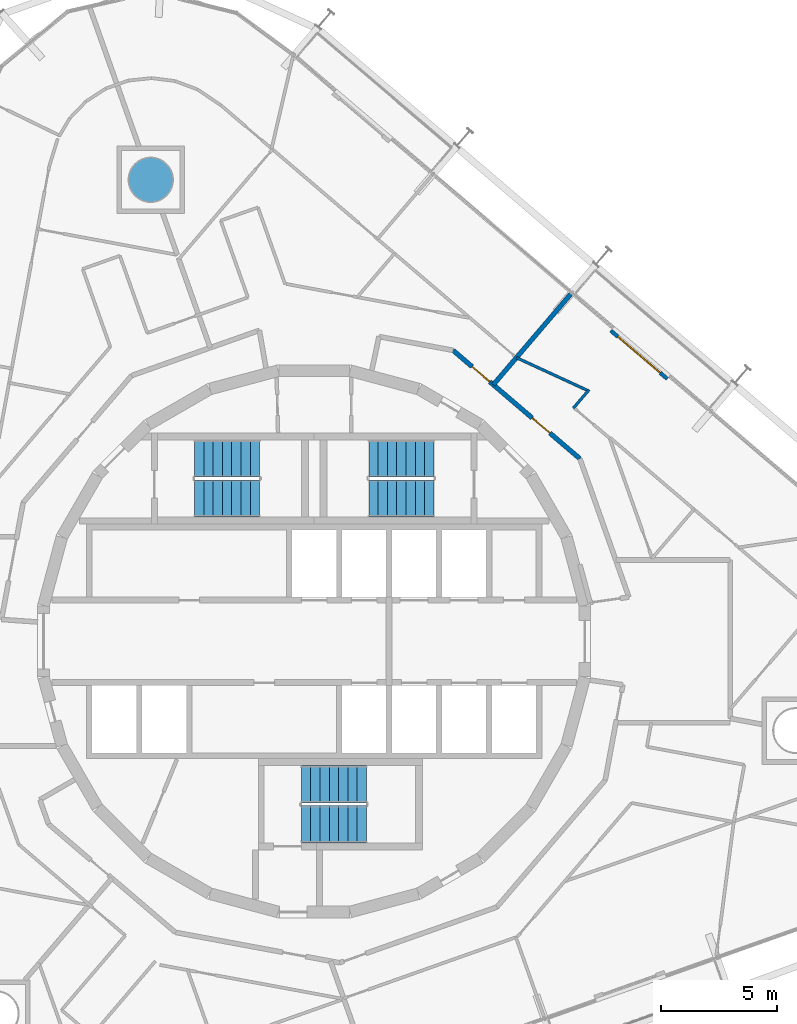
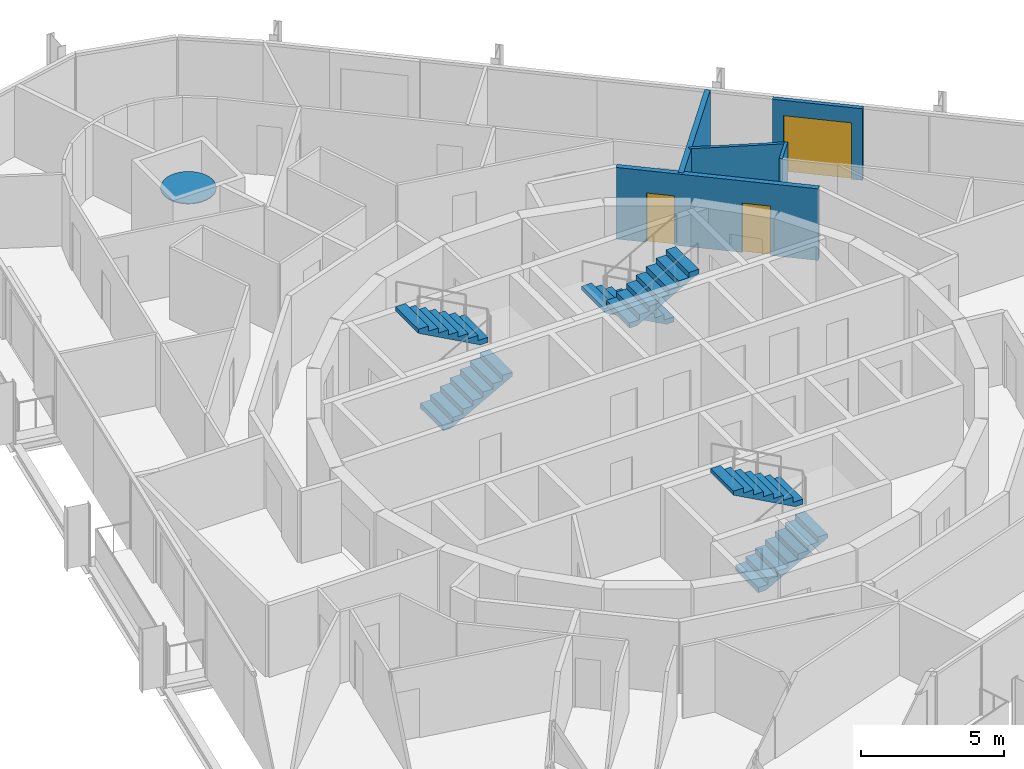
# One storey, part 16 of 17: 6 stair flights, 5 walls, 3 doors, 1 discrete accessory, 3 openings, 3 elements without a shape of their own.
"""IFC4 building model written with IfcOpenShell, lengths in metres."""

from ifc_helpers import new_model, si_unit, direction, frame, frame_2d, origin, place, context, subcontext, project, spatial, polyline, rectangle, outline, extrude, material, layer, layer_set, type_object, element, fill, aggregate, save


model = new_model("IFC4")

# Units and contexts
model_context = context("Model", 3, precision=1e-05, world=origin(), true_north=direction((0.0, 1.0)))
body_context = subcontext(model_context, "Body", "Model", "MODEL_VIEW")
ifc_project = project(units=[si_unit("LENGTHUNIT", "METRE"), si_unit("AREAUNIT", "SQUARE_METRE"), si_unit("VOLUMEUNIT", "CUBIC_METRE"), si_unit("PLANEANGLEUNIT", "RADIAN"), si_unit("MASSUNIT", "GRAM", prefix="KILO")], contexts=[model_context])

# Site, building, storey
site_placement = place(None, origin())
site = spatial("IfcSite", under=ifc_project, at=site_placement, CompositionType="ELEMENT")
building_placement = place(site_placement, origin())
building = spatial("IfcBuilding", under=site, at=building_placement, Name="Spindle Arch Residences", CompositionType="ELEMENT")
storey_placement = place(building_placement, frame((0.0, 0.0, 179.699951171875)))
storey = spatial("IfcBuildingStorey", under=building, at=storey_placement, Name="L45", CompositionType="ELEMENT", Elevation=179.699951171875)

# Wall, openings, doors
ifc_material_1 = material(Name="Calcium silicate block, plastered")
ifc_layer_1 = layer(ifc_material_1, 0.199951171875)
ifc_layer_set_1 = layer_set([ifc_layer_1], Name="Corridor wall 200")
wall_type_1 = type_object("IfcWallType", Name="Corridor wall 200", PredefinedType="STANDARD", material=ifc_layer_set_1)
wall_1_placement = place(storey_placement, frame((11.432861328125, 7.857666015625, 0.0), z_axis=(0.0, 0.0, 1.0), x_axis=(-0.760412154545, 0.649440801937, 0.0)))
wall_1 = element("IfcWall", 1, at=wall_1_placement, inside=storey, type_object=wall_type_1, Name="Corridor wall R4C0-W004", PredefinedType="STANDARD", context=body_context, shape_type="SweptSolid", body=[
    extrude(rectangle(XDim=7.180908203125, YDim=0.199951171875, at=frame_2d((3.59033203125, 0.0))), origin(), (0.0, 0.0, 1.0), 3.050048828125),
])
opening_1_placement = place(wall_1_placement, frame((1.699951171875, 0.0, 0.0)))
opening_1 = element("IfcOpeningElement", 2, at=opening_1_placement, cuts=wall_1, Name="Opening R4C0-FD01", PredefinedType="OPENING", context=body_context, shape_type="SweptSolid", body=[
    extrude(rectangle(XDim=1.0, YDim=2.10009765625, at=frame_2d((0.5, 1.050048828125))), frame((0.0, 0.10986328125, 0.0), z_axis=(0.0, -1.0, 0.0), x_axis=(1.0, 0.0, 0.0)), (0.0, 0.0, 1.0), 0.219970703125),
])
opening_2_placement = place(wall_1_placement, frame((5.1005859375, 0.0, 0.0)))
opening_2 = element("IfcOpeningElement", 3, at=opening_2_placement, cuts=wall_1, Name="Opening R4C0-FD02", PredefinedType="OPENING", context=body_context, shape_type="SweptSolid", body=[
    extrude(rectangle(XDim=1.0, YDim=2.10009765625, at=frame_2d((0.5, 1.050048828125))), frame((0.0, 0.10986328125, 0.0), z_axis=(0.0, -1.0, 0.0), x_axis=(1.0, 0.0, 0.0)), (0.0, 0.0, 1.0), 0.219970703125),
])
ifc_material_2 = material(Name="Timber, fire-resisting door set", Category="wood")
door_type_1 = type_object("IfcDoorType", Name="Flat entrance door 1000x2100", OperationType="NOTDEFINED", PredefinedType="DOOR", material=ifc_material_2)
door_1_placement = place(opening_1_placement, origin())
door_1 = element("IfcDoor", 4, at=door_1_placement, inside=storey, type_object=door_type_1, Name="Flat entrance door R4C0-FD01", OperationType="SINGLE_SWING_LEFT", OverallHeight=2.10009765625, OverallWidth=1.0, PredefinedType="DOOR", context=body_context, shape_type="SweptSolid", body=[
    extrude(rectangle(XDim=1.0, YDim=2.10009765625, at=frame_2d((0.5, 1.050048828125))), frame((0.0, 0.02490234375, 0.0), z_axis=(0.0, -1.0, 0.0), x_axis=(1.0, 0.0, 0.0)), (0.0, 0.0, 1.0), 0.050048828125),
])
fill(opening_1, door_1)
door_2_placement = place(opening_2_placement, origin())
door_2 = element("IfcDoor", 5, at=door_2_placement, inside=storey, type_object=door_type_1, Name="Flat entrance door R4C0-FD02", OperationType="SINGLE_SWING_RIGHT", OverallHeight=2.10009765625, OverallWidth=1.0, PredefinedType="DOOR", context=body_context, shape_type="SweptSolid", body=[
    extrude(rectangle(XDim=1.0, YDim=2.10009765625, at=frame_2d((0.5, 1.050048828125))), frame((0.0, 0.02490234375, 0.0), z_axis=(0.0, -1.0, 0.0), x_axis=(1.0, 0.0, 0.0)), (0.0, 0.0, 1.0), 0.050048828125),
])
fill(opening_2, door_2)

# Walls
ifc_material_3 = material(Name="Plasterboard on steel studs", Category="steel")
ifc_layer_2 = layer(ifc_material_3, 0.1201171875)
ifc_layer_set_2 = layer_set([ifc_layer_2], Name="Flat partition 120")
wall_type_2 = type_object("IfcWallType", Name="Flat partition 120", PredefinedType="PARTITIONING", material=ifc_layer_set_2)
wall_2_placement = place(storey_placement, frame((11.152587890625, 10.0341796875, 0.0), z_axis=(0.0, 0.0, 1.0), x_axis=(0.649381401329, 0.760462882466, 0.0)))
element("IfcWall", 6, at=wall_2_placement, inside=storey, type_object=wall_type_2, Name="Flat partition R4C0-W040", PredefinedType="PARTITIONING", context=body_context, shape_type="SweptSolid", body=[
    extrude(rectangle(XDim=1.041748046875, YDim=0.1201171875, at=frame_2d((0.52099609375, 0.0))), origin(), (0.0, 0.0, 1.0), 3.050048828125),
])
wall_3_placement = place(storey_placement, frame((11.790283203125, 10.78076171875, 0.0), z_axis=(0.0, 0.0, 1.0), x_axis=(-0.907999296286, 0.418971691101, 0.0)))
element("IfcWall", 7, at=wall_3_placement, inside=storey, type_object=wall_type_2, Name="Flat partition R4C0-W041", PredefinedType="PARTITIONING", context=body_context, shape_type="SweptSolid", body=[
    extrude(rectangle(XDim=3.4013671875, YDim=0.1201171875, at=frame_2d((1.70068359375, 0.0))), origin(), (0.0, 0.0, 1.0), 3.050048828125),
])
ifc_material_4 = material(Name="Calcium silicate block, plastered")
ifc_layer_3 = layer(ifc_material_4, 0.199951171875)
ifc_layer_set_3 = layer_set([ifc_layer_3], Name="Flat party wall 200")
wall_type_3 = type_object("IfcWallType", Name="Flat party wall 200", PredefinedType="STANDARD", material=ifc_layer_set_3)
wall_4_placement = place(storey_placement, frame((11.0400390625, 14.943359375, 0.0), z_axis=(0.0, 0.0, 1.0), x_axis=(-0.649442880087, -0.760410379666, 0.0)))
element("IfcWall", 8, at=wall_4_placement, inside=storey, type_object=wall_type_3, Name="Flat party wall R4C0-W026", PredefinedType="STANDARD", context=body_context, shape_type="SweptSolid", body=[
    extrude(rectangle(XDim=5.1328125, YDim=0.199951171875, at=frame_2d((2.56640625, 0.0))), origin(), (0.0, 0.0, 1.0), 3.050048828125),
])

# Wall, opening, door
ifc_material_5 = material(Name="Non-combustible mineral wool insulated aluminium faced external wall (K0)", Category="aluminium")
ifc_layer_4 = layer(ifc_material_5, 0.159912109375)
ifc_layer_set_4 = layer_set([ifc_layer_4], Name="Insulated external wall panel 160")
wall_type_4 = type_object("IfcWallType", Name="Insulated external wall panel 160", PredefinedType="STANDARD", material=ifc_layer_set_4)
wall_5_placement = place(storey_placement, frame((15.193115234375, 11.291015625, 0.0), z_axis=(0.0, 0.0, 1.0), x_axis=(-0.760391731187, 0.649464714317, 0.0)))
wall_5 = element("IfcWall", 9, at=wall_5_placement, inside=storey, type_object=wall_type_4, Name="External wall L45 bay 7", PredefinedType="STANDARD", context=body_context, shape_type="SweptSolid", body=[
    extrude(rectangle(XDim=3.2001953125, YDim=0.159912109375, at=frame_2d((1.60009765625, 0.0))), origin(), (0.0, 0.0, 1.0), 3.050048828125),
])
opening_3_placement = place(wall_5_placement, frame((0.39990234375, 0.0, 0.0)))
opening_3 = element("IfcOpeningElement", 10, at=opening_3_placement, cuts=wall_5, Name="Opening BD07", PredefinedType="OPENING", context=body_context, shape_type="SweptSolid", body=[
    extrude(rectangle(XDim=2.39990234375, YDim=2.39990234375, at=frame_2d((1.199951171875, 1.199951171875))), frame((0.0, 0.08984375, 0.0), z_axis=(0.0, -1.0, 0.0), x_axis=(1.0, 0.0, 0.0)), (0.0, 0.0, 1.0), 0.179931640625),
])
ifc_material_6 = material(Name="Bronze aluminium frame, tinted double glazing", Category="aluminium")
door_type_2 = type_object("IfcDoorType", Name="Sliding glazed balcony door 2400x2400", OperationType="DOUBLE_DOOR_SLIDING", PredefinedType="DOOR", material=ifc_material_6)
door_3_placement = place(opening_3_placement, origin())
door_3 = element("IfcDoor", 11, at=door_3_placement, inside=storey, type_object=door_type_2, Name="Balcony door BD07", OperationType="DOUBLE_DOOR_SLIDING", OverallHeight=2.39990234375, OverallWidth=2.39990234375, PredefinedType="DOOR", context=body_context, shape_type="SweptSolid", body=[
    extrude(rectangle(XDim=2.39990234375, YDim=2.39990234375, at=frame_2d((1.199951171875, 1.199951171875))), frame((0.0, 0.02490234375, 0.0), z_axis=(0.0, -1.0, 0.0), x_axis=(1.0, 0.0, 0.0)), (0.0, 0.0, 1.0), 0.050048828125),
])
fill(opening_3, door_3)

# Stair, stair flights
ifc_material_7 = material(Name="Concrete C50/60", Category="concrete")
stair_type = type_object("IfcStairType", Name="Exit stair 16 risers", PredefinedType="HALF_TURN_STAIR", material=ifc_material_7)
stair_1_placement = place(storey_placement, origin())
stair_1 = element("IfcStair", 12, at=stair_1_placement, inside=storey, type_object=stair_type, Name="L45 Exit stair ST1", PredefinedType="HALF_TURN_STAIR")
ifc_material_8 = material(Name="Concrete C50/60", Category="concrete")
stair_flight_type = type_object("IfcStairFlightType", Name="Exit stair flight", PredefinedType="STRAIGHT", material=ifc_material_8)
stair_flight_1_placement = place(storey_placement, frame((5.14990234375, 7.8701171875, 0.0), z_axis=(0.0, 0.0, 1.0), x_axis=(-1.0, 0.0, 0.0)))
stair_flight_1 = element("IfcStairFlight", 13, at=stair_flight_1_placement, type_object=stair_flight_type, Name="ST1 flight 1", NumberOfRisers=8, NumberOfTreads=7, PredefinedType="STRAIGHT", RiserHeight=0.21875, TreadLength=0.4, context=body_context, shape_type="SweptSolid", body=[
    extrude(outline(polyline([(0.0, 0.0), (0.0, 0.21875), (0.39990234375, 0.21875), (0.39990234375, 0.4375), (0.800048828125, 0.4375), (0.800048828125, 0.65625), (1.199951171875, 0.65625), (1.199951171875, 0.875), (1.60009765625, 0.875), (1.60009765625, 1.09375), (2.0, 1.09375), (2.0, 1.3125), (2.39990234375, 1.3125), (2.39990234375, 1.53125), (2.800048828125, 1.53125), (2.800048828125, 1.75), (2.800048828125, 1.3603515625), (0.3125, 0.0), (0.0, 0.0)])), frame((0.0, 0.800048828125, 0.0), z_axis=(0.0, -1.0, 0.0), x_axis=(1.0, 0.0, 0.0)), (0.0, 0.0, 1.0), 1.60009765625),
])
stair_flight_2_placement = place(storey_placement, frame((2.35009765625, 6.14990234375, 1.75), z_axis=(0.0, 0.0, 1.0), x_axis=(1.0, 0.0, 0.0)))
stair_flight_2 = element("IfcStairFlight", 14, at=stair_flight_2_placement, type_object=stair_flight_type, Name="ST1 flight 2", NumberOfRisers=8, NumberOfTreads=7, PredefinedType="STRAIGHT", RiserHeight=0.21875, TreadLength=0.4, context=body_context, shape_type="SweptSolid", body=[
    extrude(outline(polyline([(0.0, 0.0), (0.0, 0.21875), (0.39990234375, 0.21875), (0.39990234375, 0.4375), (0.800048828125, 0.4375), (0.800048828125, 0.65625), (1.199951171875, 0.65625), (1.199951171875, 0.875), (1.60009765625, 0.875), (1.60009765625, 1.09375), (2.0, 1.09375), (2.0, 1.3125), (2.39990234375, 1.3125), (2.39990234375, 1.53125), (2.800048828125, 1.53125), (2.800048828125, 1.75), (2.800048828125, 1.3603515625), (0.3125, 0.0), (0.0, 0.0)])), frame((0.0, 0.800048828125, 0.0), z_axis=(0.0, -1.0, 0.0), x_axis=(1.0, 0.0, 0.0)), (0.0, 0.0, 1.0), 1.60009765625),
])
aggregate(stair_1, [stair_flight_1, stair_flight_2])

stair_2_placement = place(storey_placement, origin())
stair_2 = element("IfcStair", 15, at=stair_2_placement, inside=storey, type_object=stair_type, Name="L45 Exit stair ST2", PredefinedType="HALF_TURN_STAIR")
stair_flight_3_placement = place(storey_placement, frame((-5.14990234375, 6.14990234375, 0.0), z_axis=(0.0, 0.0, 1.0), x_axis=(1.0, 0.0, 0.0)))
stair_flight_3 = element("IfcStairFlight", 16, at=stair_flight_3_placement, type_object=stair_flight_type, Name="ST2 flight 1", NumberOfRisers=8, NumberOfTreads=7, PredefinedType="STRAIGHT", RiserHeight=0.21875, TreadLength=0.4, context=body_context, shape_type="SweptSolid", body=[
    extrude(outline(polyline([(0.0, 0.0), (0.0, 0.21875), (0.39990234375, 0.21875), (0.39990234375, 0.4375), (0.800048828125, 0.4375), (0.800048828125, 0.65625), (1.199951171875, 0.65625), (1.199951171875, 0.875), (1.60009765625, 0.875), (1.60009765625, 1.09375), (2.0, 1.09375), (2.0, 1.3125), (2.39990234375, 1.3125), (2.39990234375, 1.53125), (2.800048828125, 1.53125), (2.800048828125, 1.75), (2.800048828125, 1.3603515625), (0.3125, 0.0), (0.0, 0.0)])), frame((0.0, 0.800048828125, 0.0), z_axis=(0.0, -1.0, 0.0), x_axis=(1.0, 0.0, 0.0)), (0.0, 0.0, 1.0), 1.60009765625),
])
stair_flight_4_placement = place(storey_placement, frame((-2.35009765625, 7.8701171875, 1.75), z_axis=(0.0, 0.0, 1.0), x_axis=(-1.0, 0.0, 0.0)))
stair_flight_4 = element("IfcStairFlight", 17, at=stair_flight_4_placement, type_object=stair_flight_type, Name="ST2 flight 2", NumberOfRisers=8, NumberOfTreads=7, PredefinedType="STRAIGHT", RiserHeight=0.21875, TreadLength=0.4, context=body_context, shape_type="SweptSolid", body=[
    extrude(outline(polyline([(0.0, 0.0), (0.0, 0.21875), (0.39990234375, 0.21875), (0.39990234375, 0.4375), (0.800048828125, 0.4375), (0.800048828125, 0.65625), (1.199951171875, 0.65625), (1.199951171875, 0.875), (1.60009765625, 0.875), (1.60009765625, 1.09375), (2.0, 1.09375), (2.0, 1.3125), (2.39990234375, 1.3125), (2.39990234375, 1.53125), (2.800048828125, 1.53125), (2.800048828125, 1.75), (2.800048828125, 1.3603515625), (0.3125, 0.0), (0.0, 0.0)])), frame((0.0, 0.800048828125, 0.0), z_axis=(0.0, -1.0, 0.0), x_axis=(1.0, 0.0, 0.0)), (0.0, 0.0, 1.0), 1.60009765625),
])
aggregate(stair_2, [stair_flight_3, stair_flight_4])

stair_3_placement = place(storey_placement, origin())
stair_3 = element("IfcStair", 18, at=stair_3_placement, inside=storey, type_object=stair_type, Name="L45 Exit stair ST3", PredefinedType="HALF_TURN_STAIR")
stair_flight_5_placement = place(storey_placement, frame((-0.550048828125, -7.8701171875, 0.0), z_axis=(0.0, 0.0, 1.0), x_axis=(1.0, 0.0, 0.0)))
stair_flight_5 = element("IfcStairFlight", 19, at=stair_flight_5_placement, type_object=stair_flight_type, Name="ST3 flight 1", NumberOfRisers=8, NumberOfTreads=7, PredefinedType="STRAIGHT", RiserHeight=0.21875, TreadLength=0.4, context=body_context, shape_type="SweptSolid", body=[
    extrude(outline(polyline([(0.0, 0.0), (0.0, 0.21875), (0.39990234375, 0.21875), (0.39990234375, 0.4375), (0.800048828125, 0.4375), (0.800048828125, 0.65625), (1.199951171875, 0.65625), (1.199951171875, 0.875), (1.60009765625, 0.875), (1.60009765625, 1.09375), (2.0, 1.09375), (2.0, 1.3125), (2.39990234375, 1.3125), (2.39990234375, 1.53125), (2.800048828125, 1.53125), (2.800048828125, 1.75), (2.800048828125, 1.3603515625), (0.3125, 0.0), (0.0, 0.0)])), frame((0.0, 0.800048828125, 0.0), z_axis=(0.0, -1.0, 0.0), x_axis=(1.0, 0.0, 0.0)), (0.0, 0.0, 1.0), 1.60009765625),
])
stair_flight_6_placement = place(storey_placement, frame((2.25, -6.14990234375, 1.75), z_axis=(0.0, 0.0, 1.0), x_axis=(-1.0, 0.0, 0.0)))
stair_flight_6 = element("IfcStairFlight", 20, at=stair_flight_6_placement, type_object=stair_flight_type, Name="ST3 flight 2", NumberOfRisers=8, NumberOfTreads=7, PredefinedType="STRAIGHT", RiserHeight=0.21875, TreadLength=0.4, context=body_context, shape_type="SweptSolid", body=[
    extrude(outline(polyline([(0.0, 0.0), (0.0, 0.21875), (0.39990234375, 0.21875), (0.39990234375, 0.4375), (0.800048828125, 0.4375), (0.800048828125, 0.65625), (1.199951171875, 0.65625), (1.199951171875, 0.875), (1.60009765625, 0.875), (1.60009765625, 1.09375), (2.0, 1.09375), (2.0, 1.3125), (2.39990234375, 1.3125), (2.39990234375, 1.53125), (2.800048828125, 1.53125), (2.800048828125, 1.75), (2.800048828125, 1.3603515625), (0.3125, 0.0), (0.0, 0.0)])), frame((0.0, 0.800048828125, 0.0), z_axis=(0.0, -1.0, 0.0), x_axis=(1.0, 0.0, 0.0)), (0.0, 0.0, 1.0), 1.60009765625),
])
aggregate(stair_3, [stair_flight_5, stair_flight_6])

# Discrete accessory
ifc_material_9 = material(Name="Steel S460ML, intumescent coating R 240", Category="steel")
ifc_layer_5 = layer(ifc_material_9, 0.0400390625)
ifc_layer_set_5 = layer_set([ifc_layer_5], Name="End cap plate 40")
discrete_accessory_type = type_object("IfcDiscreteAccessoryType", Name="End cap plate 40", PredefinedType="BRACKET", material=ifc_layer_set_5)
discrete_accessory_placement = place(storey_placement, frame((0.0, 0.0, 2.196044921875)))
element("IfcDiscreteAccessory", 21, at=discrete_accessory_placement, inside=storey, type_object=discrete_accessory_type, Name="End cap Mega-column 2", PredefinedType="BRACKET", context=body_context, shape_type="SweptSolid", body=[
    extrude(outline(polyline([(-6.056884765625, 19.857666015625), (-6.07568359375, 20.0478515625), (-6.131103515625, 20.230712890625), (-6.22119140625, 20.3994140625), (-6.342529296875, 20.547119140625), (-6.490234375, 20.668212890625), (-6.65869140625, 20.75830078125), (-6.841796875, 20.81396484375), (-7.031982421875, 20.83251953125), (-7.22216796875, 20.81396484375), (-7.405029296875, 20.75830078125), (-7.573486328125, 20.668212890625), (-7.72119140625, 20.547119140625), (-7.842529296875, 20.3994140625), (-7.9326171875, 20.230712890625), (-7.98828125, 20.0478515625), (-8.0068359375, 19.857666015625), (-7.98828125, 19.66748046875), (-7.9326171875, 19.484619140625), (-7.842529296875, 19.31591796875), (-7.72119140625, 19.168212890625), (-7.573486328125, 19.046875), (-7.405029296875, 18.956787109375), (-7.22216796875, 18.9013671875), (-7.031982421875, 18.882568359375), (-6.841796875, 18.9013671875), (-6.65869140625, 18.956787109375), (-6.490234375, 19.046875), (-6.342529296875, 19.168212890625), (-6.22119140625, 19.31591796875), (-6.131103515625, 19.484619140625), (-6.07568359375, 19.66748046875), (-6.056884765625, 19.857666015625)])), origin(), (0.0, 0.0, 1.0), 0.0400390625),
])

save(model, "model.ifc")
